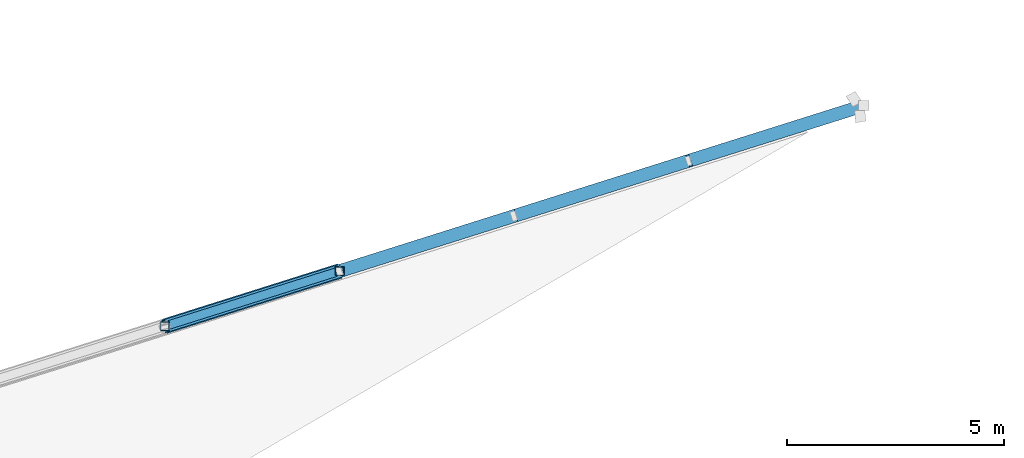
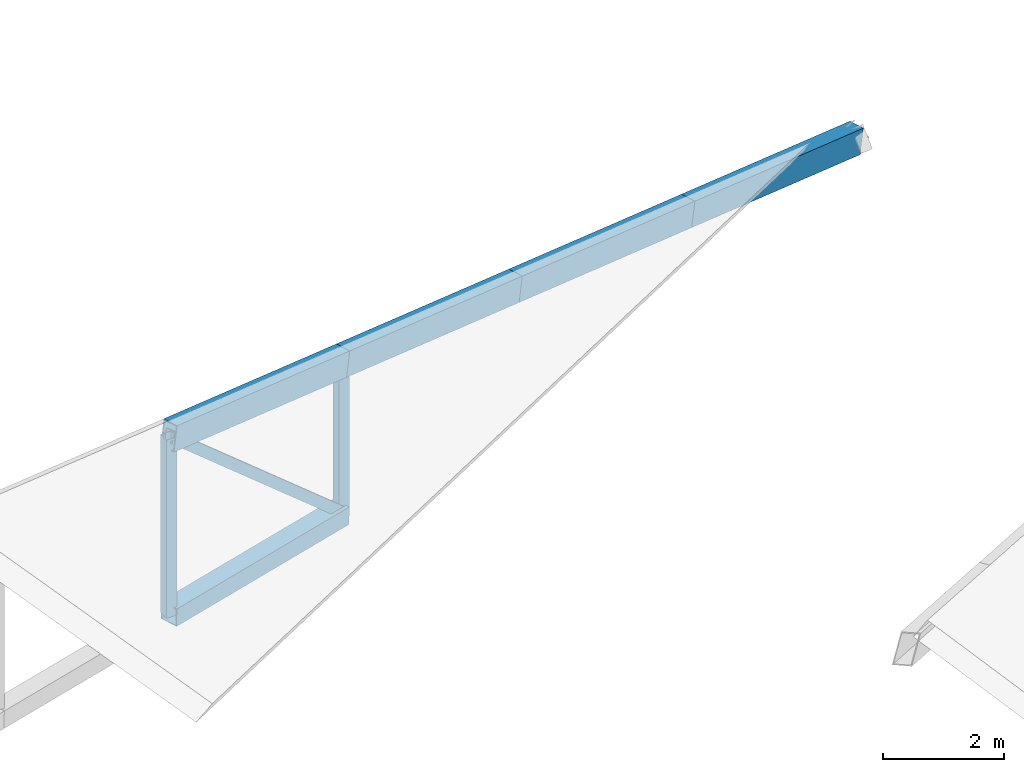
# One storey, part 14 of 188: 8 members.
"""IFC4 building model written with IfcOpenShell, lengths in metres."""

from ifc_helpers import new_model, si_unit, direction, frame, origin, origin_2d, place, context, subcontext, project, spatial, hollow_rectangle, extrude, material, material_profile, profile_set, type_object, element, save


model = new_model("IFC4")

# Units and contexts
model_context = context("Model", 3, precision=1e-05, world=origin(), true_north=direction((0.0, 1.0)))
body_context = subcontext(model_context, "Body", "Model", "MODEL_VIEW")
ifc_project = project(units=[si_unit("LENGTHUNIT", "METRE"), si_unit("AREAUNIT", "SQUARE_METRE"), si_unit("VOLUMEUNIT", "CUBIC_METRE"), si_unit("PLANEANGLEUNIT", "RADIAN"), si_unit("MASSUNIT", "GRAM", prefix="KILO")], contexts=[model_context])

# Site, building, storey
site_placement = place(None, origin())
site = spatial("IfcSite", under=ifc_project, at=site_placement, CompositionType="ELEMENT")
building_placement = place(site_placement, origin())
building = spatial("IfcBuilding", under=site, at=building_placement, Name="Meseta Stadium", CompositionType="ELEMENT")
storey_placement = place(building_placement, frame((0.0, 0.0, 30.0)))
storey = spatial("IfcBuildingStorey", under=building, at=storey_placement, Name="ROOF", CompositionType="ELEMENT", Elevation=30.0)

# Members
ifc_material_1 = material(Name="Steel S355", Category="steel")
ifc_material_profile_1 = material_profile(ifc_material_1, hollow_rectangle(XDim=0.300048828125, YDim=0.5, WallThickness=0.01611328125, at=origin_2d()), Name="RHS 500x300x16")
ifc_profile_set_1 = profile_set([ifc_material_profile_1], Name="Steel S355")
member_type_1 = type_object("IfcMemberType", Name="RHS 500x300x16 top chord", PredefinedType="CHORD", material=ifc_profile_set_1)
member_1_placement = place(storey_placement, frame((-45.9775390625, -51.779052734375, 1.709716796875), z_axis=(-0.941792519383, -0.297343534153, 0.156887453713), x_axis=(0.301071861236, -0.953601454682, 0.0)))
element("IfcMember", 1, at=member_1_placement, inside=storey, type_object=member_type_1, Name="ROOF TRUSS RT-38 top chord", PredefinedType="CHORD", context=body_context, shape_type="SweptSolid", body=[
    extrude(hollow_rectangle(XDim=0.300048828125, YDim=0.5, WallThickness=0.01611328125, at=origin_2d()), origin(), (0.0, 0.0, 1.0), 4.175048828125),
])
member_2_placement = place(storey_placement, frame((-49.90966796875, -53.0205078125, 2.36474609375), z_axis=(-0.941776961927, -0.297403251135, 0.156867651856), x_axis=(0.301131367937, -0.953582665134, 0.0)))
element("IfcMember", 2, at=member_2_placement, inside=storey, type_object=member_type_1, Name="ROOF TRUSS RT-38 top chord", PredefinedType="CHORD", context=body_context, shape_type="SweptSolid", body=[
    extrude(hollow_rectangle(XDim=0.300048828125, YDim=0.5, WallThickness=0.01611328125, at=origin_2d()), origin(), (0.0, 0.0, 1.0), 4.275390625),
])
member_3_placement = place(storey_placement, frame((-53.93603515625, -54.2919921875, 3.035400390625), z_axis=(-0.941786500228, -0.297367188569, 0.156878753024), x_axis=(0.301095390886, -0.953594025562, 0.0)))
element("IfcMember", 3, at=member_3_placement, inside=storey, type_object=member_type_1, Name="ROOF TRUSS RT-38 top chord", PredefinedType="CHORD", context=body_context, shape_type="SweptSolid", body=[
    extrude(hollow_rectangle(XDim=0.300048828125, YDim=0.5, WallThickness=0.01611328125, at=origin_2d()), origin(), (0.0, 0.0, 1.0), 4.27490234375),
])
member_4_placement = place(storey_placement, frame((-57.962158203125, -55.563232421875, 3.7060546875), z_axis=(-0.941784516986, -0.297348531406, 0.156926015806), x_axis=(0.301078788848, -0.953599267463, 0.0)))
element("IfcMember", 4, at=member_4_placement, inside=storey, type_object=member_type_1, Name="ROOF TRUSS RT-38 top chord", PredefinedType="CHORD", context=body_context, shape_type="SweptSolid", body=[
    extrude(hollow_rectangle(XDim=0.300048828125, YDim=0.5, WallThickness=0.01611328125, at=origin_2d()), origin(), (0.0, 0.0, 1.0), 4.275146484375),
])
ifc_material_2 = material(Name="Steel S355", Category="steel")
ifc_material_profile_2 = material_profile(ifc_material_2, hollow_rectangle(XDim=0.199951171875, YDim=0.199951171875, WallThickness=0.008056640625, at=origin_2d()), Name="SHS 200x200x8")
ifc_profile_set_2 = profile_set([ifc_material_profile_2], Name="Steel S355")
member_type_2 = type_object("IfcMemberType", Name="SHS 200x200x8 diagonal", PredefinedType="BRACE", material=ifc_profile_set_2)
member_5_placement = place(storey_placement, frame((-57.962158203125, -55.563232421875, 0.66162109375), z_axis=(-0.715903246669, -0.226031300352, 0.660600024728), x_axis=(0.301078788848, -0.953599267463, 0.0)))
element("IfcMember", 5, at=member_5_placement, inside=storey, type_object=member_type_2, Name="ROOF TRUSS RT-38 diagonal", PredefinedType="BRACE", context=body_context, shape_type="SweptSolid", body=[
    extrude(hollow_rectangle(XDim=0.199951171875, YDim=0.199951171875, WallThickness=0.008056640625, at=origin_2d()), origin(), (0.0, 0.0, 1.0), 5.624267578125),
])
ifc_material_3 = material(Name="Steel S355", Category="steel")
ifc_material_profile_3 = material_profile(ifc_material_3, hollow_rectangle(XDim=0.199951171875, YDim=0.199951171875, WallThickness=0.008056640625, at=origin_2d()), Name="SHS 200x200x8")
ifc_profile_set_3 = profile_set([ifc_material_profile_3], Name="Steel S355")
member_type_3 = type_object("IfcMemberType", Name="SHS 200x200x8 post", PredefinedType="POST", material=ifc_profile_set_3)
member_6_placement = place(storey_placement, frame((-57.962158203125, -55.563232421875, 0.66162109375), z_axis=(0.0, 0.0, 1.0), x_axis=(1.0, 0.0, 0.0)))
element("IfcMember", 6, at=member_6_placement, inside=storey, type_object=member_type_3, Name="ROOF TRUSS RT-38 post", PredefinedType="POST", context=body_context, shape_type="SweptSolid", body=[
    extrude(hollow_rectangle(XDim=0.199951171875, YDim=0.199951171875, WallThickness=0.008056640625, at=origin_2d()), origin(), (0.0, 0.0, 1.0), 3.04443359375),
])
member_7_placement = place(storey_placement, frame((-61.988525390625, -56.83447265625, 0.7841796875), z_axis=(0.0, 0.0, 1.0), x_axis=(1.0, 0.0, 0.0)))
element("IfcMember", 7, at=member_7_placement, inside=storey, type_object=member_type_3, Name="ROOF TRUSS RT-38 post", PredefinedType="POST", context=body_context, shape_type="SweptSolid", body=[
    extrude(hollow_rectangle(XDim=0.199951171875, YDim=0.199951171875, WallThickness=0.008056640625, at=origin_2d()), origin(), (0.0, 0.0, 1.0), 3.5927734375),
])
ifc_material_4 = material(Name="Steel S355", Category="steel")
ifc_material_profile_4 = material_profile(ifc_material_4, hollow_rectangle(XDim=0.35009765625, YDim=0.35009765625, WallThickness=0.01416015625, at=origin_2d()), Name="SHS 350x350x14.2")
ifc_profile_set_4 = profile_set([ifc_material_profile_4], Name="Steel S355")
member_type_4 = type_object("IfcMemberType", Name="SHS 350x350x14.2 bottom chord", PredefinedType="CHORD", material=ifc_profile_set_4)
member_8_placement = place(storey_placement, frame((-57.962158203125, -55.563232421875, 0.66162109375), z_axis=(-0.953197796459, -0.300952032874, 0.02901438842), x_axis=(0.301078788848, -0.953599267463, 0.0)))
element("IfcMember", 8, at=member_8_placement, inside=storey, type_object=member_type_4, Name="ROOF TRUSS RT-38 bottom chord", PredefinedType="CHORD", context=body_context, shape_type="SweptSolid", body=[
    extrude(hollow_rectangle(XDim=0.35009765625, YDim=0.35009765625, WallThickness=0.01416015625, at=origin_2d()), origin(), (0.0, 0.0, 1.0), 4.22412109375),
])

save(model, "model.ifc")
